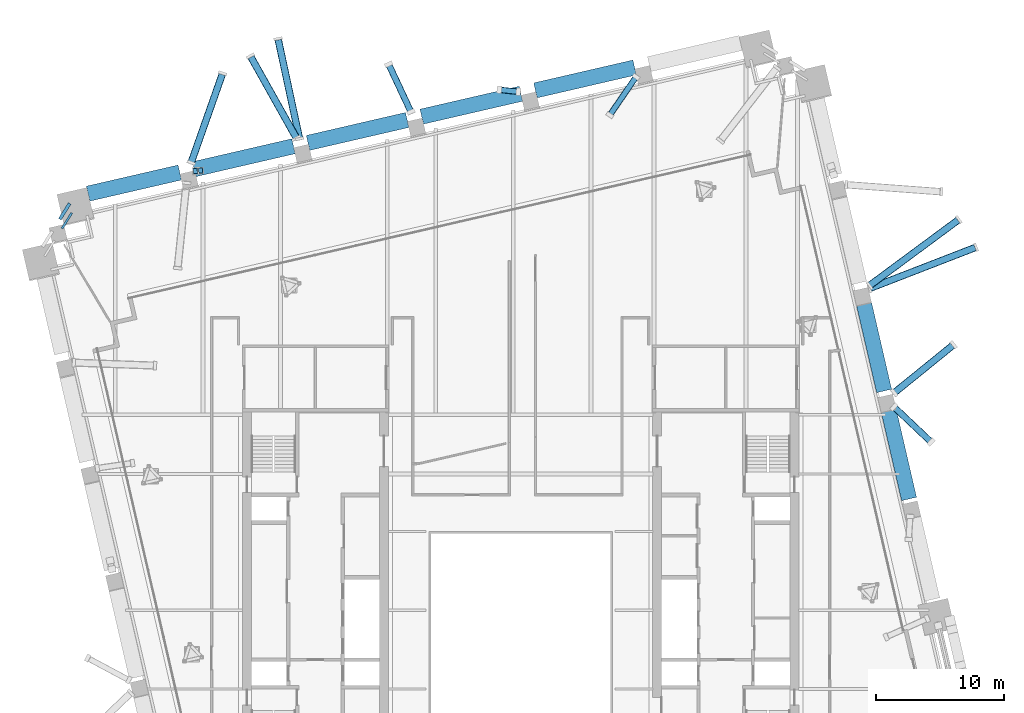
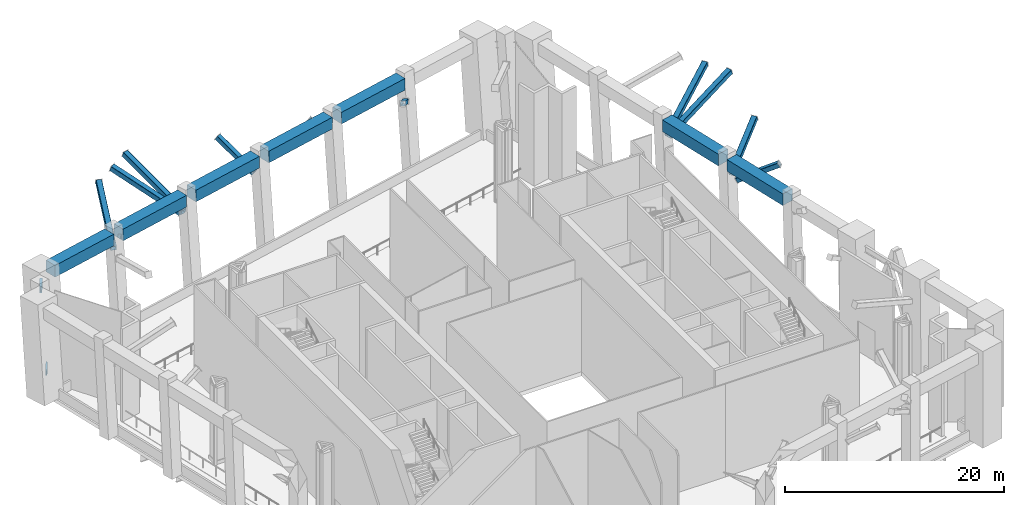
# One storey, part 13 of 25: 11 members, 9 beams.
"""IFC4 building model written with IfcOpenShell, lengths in metres."""

from ifc_helpers import new_model, si_unit, direction, frame, origin, origin_2d, place, context, subcontext, project, spatial, rectangle, hollow_rectangle, i_section, extrude, material, material_profile, profile_set, type_object, element, save


model = new_model("IFC4")

# Units and contexts
model_context = context("Model", 3, precision=1e-05, world=origin(), true_north=direction((0.0, 1.0)))
body_context = subcontext(model_context, "Body", "Model", "MODEL_VIEW")
ifc_project = project(units=[si_unit("LENGTHUNIT", "METRE"), si_unit("AREAUNIT", "SQUARE_METRE"), si_unit("VOLUMEUNIT", "CUBIC_METRE"), si_unit("PLANEANGLEUNIT", "RADIAN"), si_unit("MASSUNIT", "GRAM", prefix="KILO")], contexts=[model_context])

# Site, building, storey
site_placement = place(None, origin())
site = spatial("IfcSite", under=ifc_project, at=site_placement, CompositionType="ELEMENT")
building_placement = place(site_placement, origin())
building = spatial("IfcBuilding", under=site, at=building_placement, Name="Ogive Exchange Tower", CompositionType="ELEMENT")
storey_placement = place(building_placement, frame((0.0, 0.0, 226.199951171875)))
storey = spatial("IfcBuildingStorey", under=building, at=storey_placement, Name="L50", CompositionType="ELEMENT", Elevation=226.199951171875)

# Beams
ifc_material_1 = material(Name="Steel ASTM A992 Gr50", Category="steel")
ifc_material_profile_1 = material_profile(ifc_material_1, i_section(OverallWidth=0.1669921875, OverallDepth=0.535888671875, WebThickness=0.01025390625, FlangeThickness=0.0166015625, at=origin_2d()), Name="W530x85")
ifc_profile_set_1 = profile_set([ifc_material_profile_1], Name="Steel ASTM A992 Gr50")
beam_type_1 = type_object("IfcBeamType", Name="Belt truss bottom chord W530x85", PredefinedType="BEAM", material=ifc_profile_set_1)
beam_1_placement = place(storey_placement, frame((-34.9951171875, 40.996337890625, 0.400146484375), z_axis=(-0.529877740036, -0.848074041941, 0.0), x_axis=(0.848074041941, -0.529877740036, 0.0)))
element("IfcBeam", 1, at=beam_1_placement, inside=storey, type_object=beam_type_1, Name="Belt truss bottom chord 24", PredefinedType="BEAM", context=body_context, shape_type="SweptSolid", body=[
    extrude(i_section(OverallWidth=0.1669921875, OverallDepth=0.535888671875, WebThickness=0.01025390625, FlangeThickness=0.0166015625, at=origin_2d()), origin(), (0.0, 0.0, 1.0), 1.448486328125),
])
ifc_material_profile_2 = material_profile(ifc_material_1, i_section(OverallWidth=0.25390625, OverallDepth=0.677978515625, WebThickness=0.01171875, FlangeThickness=0.016357421875, at=origin_2d()), Name="W690x125")
ifc_profile_set_2 = profile_set([ifc_material_profile_2], Name="Steel ASTM A992 Gr50")
beam_type_2 = type_object("IfcBeamType", Name="Belt truss top chord W690x125", PredefinedType="BEAM", material=ifc_profile_set_2)
beam_2_placement = place(storey_placement, frame((-35.16357421875, 41.72607421875, 9.31103515625), z_axis=(-0.529877740036, -0.848074041941, 0.0), x_axis=(0.848074041941, -0.529877740036, 0.0)))
element("IfcBeam", 2, at=beam_2_placement, inside=storey, type_object=beam_type_2, Name="Belt truss top chord 24", PredefinedType="BEAM", context=body_context, shape_type="SweptSolid", body=[
    extrude(i_section(OverallWidth=0.25390625, OverallDepth=0.677978515625, WebThickness=0.01171875, FlangeThickness=0.016357421875, at=origin_2d()), origin(), (0.0, 0.0, 1.0), 1.448486328125),
])

# Members
ifc_material_2 = material(Name="Steel ASTM A1085 Gr A", Category="steel")
ifc_material_profile_3 = material_profile(ifc_material_2, hollow_rectangle(XDim=0.45703125, YDim=0.45703125, WallThickness=0.01904296875, InnerFilletRadius=0.01904296875, OuterFilletRadius=0.0380859375, at=origin_2d()), Name="HSS457.2x457.2x19")
ifc_profile_set_3 = profile_set([ifc_material_profile_3], Name="Steel ASTM A1085 Gr A")
member_type_1 = type_object("IfcMemberType", Name="Block-change strut HSS457.2x457.2x19", PredefinedType="STRUT", material=ifc_profile_set_3)
member_1_placement = place(storey_placement, frame((8.99658203125, 51.593994140625, 7.911865234375), z_axis=(-0.48036072502, -0.70116519274, 0.52689747233), x_axis=(0.824969279485, -0.565177572013, 0.0)))
element("IfcMember", 3, at=member_1_placement, inside=storey, type_object=member_type_1, Name="Block-change strut 19", PredefinedType="STRUT", context=body_context, shape_type="SweptSolid", body=[
    extrude(hollow_rectangle(XDim=0.45703125, YDim=0.45703125, WallThickness=0.01904296875, InnerFilletRadius=0.01904296875, OuterFilletRadius=0.0380859375, at=origin_2d()), origin(), (0.0, 0.0, 1.0), 4.233642578125),
])
member_2_placement = place(storey_placement, frame((-0.178466796875, 50.436279296875, 8.986083984375), z_axis=(-0.780713251881, 0.084950083883, 0.619088282545), x_axis=(-0.108172378954, -0.994132152398, 0.0)))
element("IfcMember", 4, at=member_2_placement, inside=storey, type_object=member_type_1, Name="Block-change strut 20", PredefinedType="STRUT", context=body_context, shape_type="SweptSolid", body=[
    extrude(hollow_rectangle(XDim=0.45703125, YDim=0.45703125, WallThickness=0.01904296875, InnerFilletRadius=0.01904296875, OuterFilletRadius=0.0380859375, at=origin_2d()), origin(), (0.0, 0.0, 1.0), 1.88818359375),
])
member_3_placement = place(storey_placement, frame((-25.30615234375, 44.26318359375, 9.11474609375), z_axis=(0.258942679163, 0.015761728297, 0.965764079281), x_axis=(-0.060757113571, 0.998152580095, 0.0)))
element("IfcMember", 5, at=member_3_placement, inside=storey, type_object=member_type_1, Name="Block-change strut 24", PredefinedType="STRUT", context=body_context, shape_type="SweptSolid", body=[
    extrude(hollow_rectangle(XDim=0.45703125, YDim=0.45703125, WallThickness=0.01904296875, InnerFilletRadius=0.01904296875, OuterFilletRadius=0.0380859375, at=origin_2d()), origin(), (0.0, 0.0, 1.0), 1.192626953125),
])
ifc_material_profile_4 = material_profile(ifc_material_2, hollow_rectangle(XDim=0.508056640625, YDim=0.508056640625, WallThickness=0.01904296875, InnerFilletRadius=0.01904296875, OuterFilletRadius=0.0380859375, at=origin_2d()), Name="HSS508x508x19")
ifc_profile_set_4 = profile_set([ifc_material_profile_4], Name="Steel ASTM A1085 Gr A")
member_type_2 = type_object("IfcMemberType", Name="Block-change strut HSS508x508x19", PredefinedType="STRUT", material=ifc_profile_set_4)
member_4_placement = place(storey_placement, frame((29.112060546875, 25.861572265625, 7.744873046875), z_axis=(0.623082483942, -0.590088622003, 0.513384491768), x_axis=(0.687621786397, 0.726069059299, 0.0)))
element("IfcMember", 6, at=member_4_placement, inside=storey, type_object=member_type_2, Name="Block-change strut 13", PredefinedType="STRUT", context=body_context, shape_type="SweptSolid", body=[
    extrude(hollow_rectangle(XDim=0.508056640625, YDim=0.508056640625, WallThickness=0.01904296875, InnerFilletRadius=0.01904296875, OuterFilletRadius=0.0380859375, at=origin_2d()), origin(), (0.0, 0.0, 1.0), 4.624755859375),
])
member_5_placement = place(storey_placement, frame((-8.5537109375, 48.86767578125, 7.742919921875), z_axis=(-0.36645324684, 0.783154381107, 0.502375589806), x_axis=(-0.905747793108, -0.423817101213, 0.0)))
element("IfcMember", 7, at=member_5_placement, inside=storey, type_object=member_type_2, Name="Block-change strut 21", PredefinedType="STRUT", context=body_context, shape_type="SweptSolid", body=[
    extrude(hollow_rectangle(XDim=0.508056640625, YDim=0.508056640625, WallThickness=0.01904296875, InnerFilletRadius=0.01904296875, OuterFilletRadius=0.0380859375, at=origin_2d()), origin(), (0.0, 0.0, 1.0), 4.7275390625),
])
ifc_material_profile_5 = material_profile(ifc_material_2, hollow_rectangle(XDim=0.55908203125, YDim=0.55908203125, WallThickness=0.022216796875, InnerFilletRadius=0.022216796875, OuterFilletRadius=0.04443359375, at=origin_2d()), Name="HSS558.8x558.8x22.2")
ifc_profile_set_5 = profile_set([ifc_material_profile_5], Name="Steel ASTM A1085 Gr A")
member_type_3 = type_object("IfcMemberType", Name="Block-change strut HSS558.8x558.8x22.2", PredefinedType="STRUT", material=ifc_profile_set_5)
member_6_placement = place(storey_placement, frame((29.134521484375, 26.966064453125, 7.699951171875), z_axis=(0.721025318626, 0.584363382969, 0.372346514077), x_axis=(-0.629638289272, 0.776888424861, 0.0)))
element("IfcMember", 8, at=member_6_placement, inside=storey, type_object=member_type_3, Name="Block-change strut 14", PredefinedType="STRUT", context=body_context, shape_type="SweptSolid", body=[
    extrude(hollow_rectangle(XDim=0.55908203125, YDim=0.55908203125, WallThickness=0.022216796875, InnerFilletRadius=0.022216796875, OuterFilletRadius=0.04443359375, at=origin_2d()), origin(), (0.0, 0.0, 1.0), 6.3955078125),
])
member_7_placement = place(storey_placement, frame((27.210205078125, 35.0986328125, 7.686767578125), z_axis=(0.900517526063, 0.348951204704, 0.259424829168), x_axis=(-0.361321664957, 0.932441233769, 0.0)))
element("IfcMember", 9, at=member_7_placement, inside=storey, type_object=member_type_3, Name="Block-change strut 15", PredefinedType="STRUT", context=body_context, shape_type="SweptSolid", body=[
    extrude(hollow_rectangle(XDim=0.55908203125, YDim=0.55908203125, WallThickness=0.022216796875, InnerFilletRadius=0.022216796875, OuterFilletRadius=0.04443359375, at=origin_2d()), origin(), (0.0, 0.0, 1.0), 9.200927734375),
])
member_8_placement = place(storey_placement, frame((-17.241455078125, 46.77099609375, 7.689453125), z_axis=(-0.201136878375, 0.936583052289, 0.286977598989), x_axis=(-0.977708101512, -0.209968731571, 0.0)))
element("IfcMember", 10, at=member_8_placement, inside=storey, type_object=member_type_3, Name="Block-change strut 22", PredefinedType="STRUT", context=body_context, shape_type="SweptSolid", body=[
    extrude(hollow_rectangle(XDim=0.55908203125, YDim=0.55908203125, WallThickness=0.022216796875, InnerFilletRadius=0.022216796875, OuterFilletRadius=0.04443359375, at=origin_2d()), origin(), (0.0, 0.0, 1.0), 8.313232421875),
])
member_9_placement = place(storey_placement, frame((-25.6923828125, 44.908447265625, 7.69189453125), z_axis=(0.316080823505, 0.897406059275, 0.307823452305), x_axis=(-0.943204788268, 0.332211871235, 0.0)))
element("IfcMember", 11, at=member_9_placement, inside=storey, type_object=member_type_3, Name="Block-change strut 23", PredefinedType="STRUT", context=body_context, shape_type="SweptSolid", body=[
    extrude(hollow_rectangle(XDim=0.55908203125, YDim=0.55908203125, WallThickness=0.022216796875, InnerFilletRadius=0.022216796875, OuterFilletRadius=0.04443359375, at=origin_2d()), origin(), (0.0, 0.0, 1.0), 7.746337890625),
])
member_10_placement = place(storey_placement, frame((27.208251953125, 35.328369140625, 7.687255859375), z_axis=(0.774943501263, 0.573126780898, 0.266436226642), x_axis=(-0.594620807103, 0.804006278433, 0.0)))
element("IfcMember", 12, at=member_10_placement, inside=storey, type_object=member_type_3, Name="Block-change strut 32", PredefinedType="STRUT", context=body_context, shape_type="SweptSolid", body=[
    extrude(hollow_rectangle(XDim=0.55908203125, YDim=0.55908203125, WallThickness=0.022216796875, InnerFilletRadius=0.022216796875, OuterFilletRadius=0.04443359375, at=origin_2d()), origin(), (0.0, 0.0, 1.0), 8.9580078125),
])
member_11_placement = place(storey_placement, frame((-17.484130859375, 46.822021484375, 7.692138671875), z_axis=(-0.464984423413, 0.829428247571, 0.309577563972), x_axis=(-0.872279690869, -0.489007301477, 0.0)))
element("IfcMember", 13, at=member_11_placement, inside=storey, type_object=member_type_3, Name="Block-change strut 33", PredefinedType="STRUT", context=body_context, shape_type="SweptSolid", body=[
    extrude(hollow_rectangle(XDim=0.55908203125, YDim=0.55908203125, WallThickness=0.022216796875, InnerFilletRadius=0.022216796875, OuterFilletRadius=0.04443359375, at=origin_2d()), origin(), (0.0, 0.0, 1.0), 7.702392578125),
])

# Beams
ifc_material_3 = material(Name="Precast concrete C70/85 (limestone faced)", Category="masonry")
ifc_material_profile_6 = material_profile(ifc_material_3, rectangle(XDim=1.199951171875, YDim=1.300048828125, at=origin_2d()), Name="1200 x 1300")
ifc_profile_set_6 = profile_set([ifc_material_profile_6], Name="Precast concrete C70/85 (limestone faced)")
beam_type_3 = type_object("IfcBeamType", Name="Precast portal header beam 1200 x 1300 C70/85", PredefinedType="BEAM", material=ifc_profile_set_6)
for number, where, z_axis, x_axis, name in (
    (14, (30.285400390625, 18.68310546875, 9.699951171875), (-0.224964337054, 0.974366998135, 0.0), (-0.974366998135, -0.224964337054, 0.0), "Slot header beam 12"),
    (15, (28.3408203125, 27.10546875, 9.699951171875), (-0.224933365262, 0.974374148462, 0.0), (-0.974374148462, -0.224933365262, 0.0), "Slot header beam 13"),
):
    element("IfcBeam", number, at=place(storey_placement, frame(where, z_axis=z_axis, x_axis=x_axis)), inside=storey, type_object=beam_type_3, Name=name, PredefinedType="BEAM", context=body_context, shape_type="SweptSolid", body=[
        extrude(rectangle(XDim=1.199951171875, YDim=1.300048828125, at=origin_2d()), origin(), (0.0, 0.0, 1.0), 7.48388671875),
    ])
beam_3_placement = place(storey_placement, frame((8.888427734375, 52.327880859375, 9.699951171875), z_axis=(-0.974368388194, -0.224958316335, 0.0), x_axis=(0.224958316335, -0.974368388194, 0.0)))
element("IfcBeam", 16, at=beam_3_placement, inside=storey, type_object=beam_type_3, Name="Slot header beam 19", PredefinedType="BEAM", context=body_context, shape_type="SweptSolid", body=[
    extrude(rectangle(XDim=1.199951171875, YDim=1.300048828125, at=origin_2d()), origin(), (0.0, 0.0, 1.0), 7.93994140625),
])
for number, where, z_axis, x_axis, name in (
    (17, (0.021728515625, 50.28076171875, 9.699951171875), (-0.974369944206, -0.224951576629, 0.0), (0.224951576629, -0.974369944206, 0.0), "Slot header beam 20"),
    (18, (-8.844970703125, 48.233642578125, 9.699951171875), (-0.974369944206, -0.224951576629, 0.0), (0.224951576629, -0.974369944206, 0.0), "Slot header beam 21"),
):
    element("IfcBeam", number, at=place(storey_placement, frame(where, z_axis=z_axis, x_axis=x_axis)), inside=storey, type_object=beam_type_3, Name=name, PredefinedType="BEAM", context=body_context, shape_type="SweptSolid", body=[
        extrude(rectangle(XDim=1.199951171875, YDim=1.300048828125, at=origin_2d()), origin(), (0.0, 0.0, 1.0), 7.940185546875),
    ])
beam_4_placement = place(storey_placement, frame((-17.7119140625, 46.186767578125, 9.699951171875), z_axis=(-0.974361647901, -0.224987508763, 0.0), x_axis=(0.224987508763, -0.974361647901, 0.0)))
element("IfcBeam", 19, at=beam_4_placement, inside=storey, type_object=beam_type_3, Name="Slot header beam 22", PredefinedType="BEAM", context=body_context, shape_type="SweptSolid", body=[
    extrude(rectangle(XDim=1.199951171875, YDim=1.300048828125, at=origin_2d()), origin(), (0.0, 0.0, 1.0), 7.93994140625),
])
beam_5_placement = place(storey_placement, frame((-26.57861328125, 44.1396484375, 9.699951171875), z_axis=(-0.974370449655, -0.224949387281, 0.0), x_axis=(0.224949387281, -0.974370449655, 0.0)))
element("IfcBeam", 20, at=beam_5_placement, inside=storey, type_object=beam_type_3, Name="Slot header beam 23", PredefinedType="BEAM", context=body_context, shape_type="SweptSolid", body=[
    extrude(rectangle(XDim=1.199951171875, YDim=1.300048828125, at=origin_2d()), origin(), (0.0, 0.0, 1.0), 7.340087890625),
])

save(model, "model.ifc")
